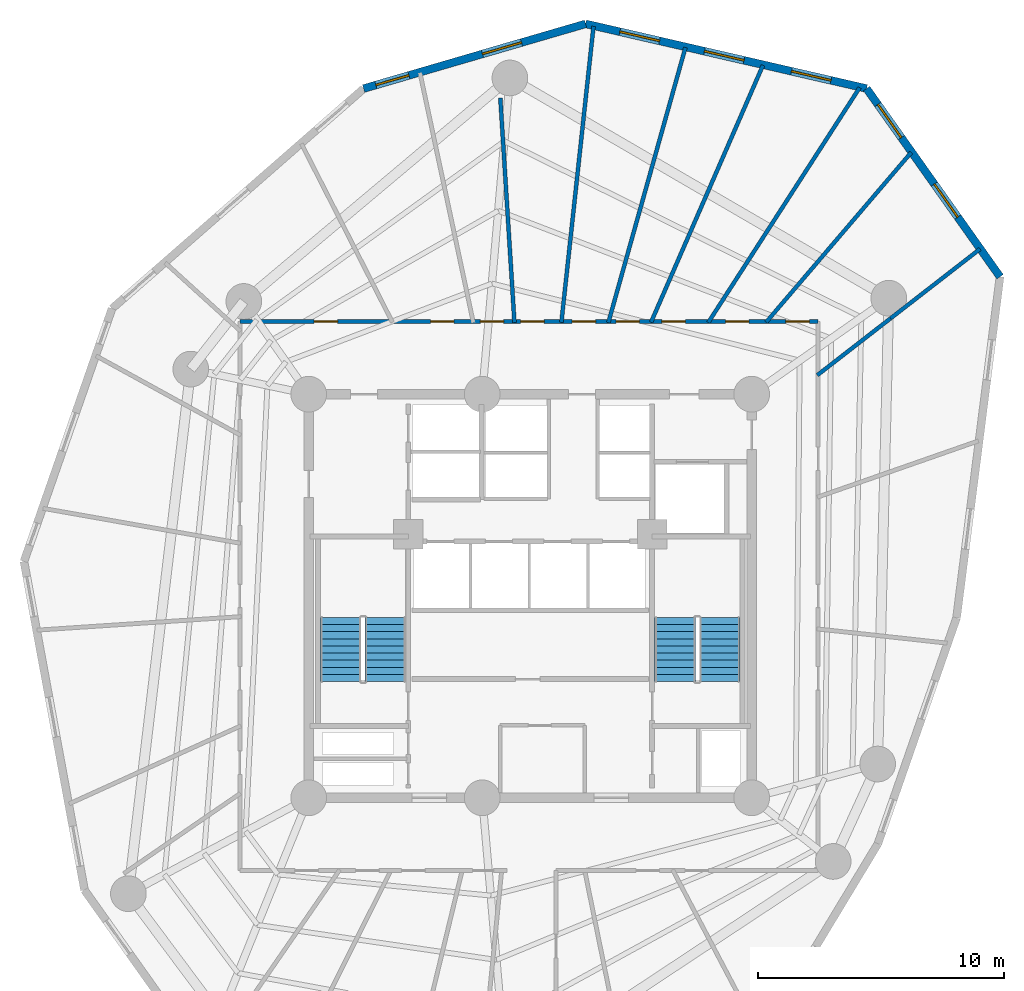
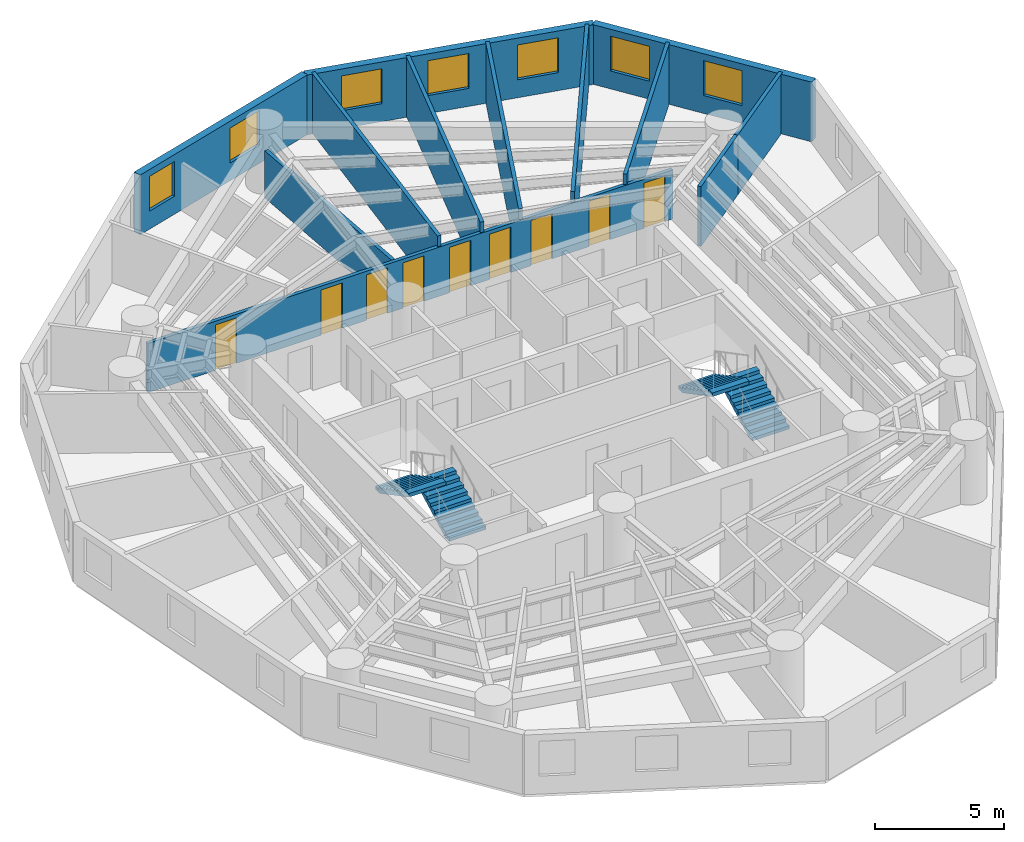
# One storey, part 6 of 7: 12 walls, 9 doors, 7 windows, 4 stair flights, 16 openings, 2 elements without a shape of their own.
"""IFC4 building model written with IfcOpenShell, lengths in metres."""

from ifc_helpers import new_model, si_unit, direction, frame, frame_2d, origin, origin_with_axes, place, context, subcontext, project, spatial, polyline, rectangle, outline, extrude, source, transform, mapped, material, layer, layer_set, type_object, element, fill, aggregate, save


model = new_model("IFC4")

# Units and contexts
model_context = context("Model", 3, precision=1e-05, world=origin(), true_north=direction((0.0, 1.0)))
body_context = subcontext(model_context, "Body", "Model", "MODEL_VIEW")
ifc_project = project(units=[si_unit("LENGTHUNIT", "METRE"), si_unit("AREAUNIT", "SQUARE_METRE"), si_unit("VOLUMEUNIT", "CUBIC_METRE"), si_unit("PLANEANGLEUNIT", "RADIAN"), si_unit("MASSUNIT", "GRAM", prefix="KILO")], contexts=[model_context])

# Site, building, storey
site_placement = place(None, origin())
site = spatial("IfcSite", under=ifc_project, at=site_placement, CompositionType="ELEMENT")
building_placement = place(site_placement, origin())
building = spatial("IfcBuilding", under=site, at=building_placement, Name="Karkom Vertical University and Central Library", CompositionType="ELEMENT")
storey_placement = place(building_placement, frame((0.0, 0.0, 138.89990234375)))
storey = spatial("IfcBuildingStorey", under=building, at=storey_placement, Name="L39", CompositionType="ELEMENT", Elevation=138.89990234375)

# Wall, openings, windows
ifc_material_1 = material(Name="Brick-faced precast concrete C45/55", Category="masonry")
ifc_layer_1 = layer(ifc_material_1, 0.320068359375)
ifc_layer_set_1 = layer_set([ifc_layer_1], Name="Brick-faced precast concrete C45/55")
wall_type_1 = type_object("IfcWallType", Name="ENV-WL-BRK-320", PredefinedType="SOLIDWALL", material=ifc_layer_set_1)
wall_1_placement = place(storey_placement, frame((47.593017578125, 39.47119140625, 0.0), z_axis=(0.0, 0.0, 1.0), x_axis=(-0.578483899651, 0.815693801524, 0.0)))
wall_1 = element("IfcWall", 1, at=wall_1_placement, inside=storey, type_object=wall_type_1, Name="Level 39 Brick-Faced Precast Facade Wall 09", PredefinedType="SOLIDWALL", context=body_context, shape_type="SweptSolid", body=[
    extrude(rectangle(XDim=9.377197265625, YDim=0.320068359375, at=frame_2d((4.6884765625, 0.0))), origin(), (0.0, 0.0, 1.0), 2.8251953125),
])
opening_1_placement = place(wall_1_placement, frame((2.97119140625, 0.0, 0.85009765625)))
opening_1 = element("IfcOpeningElement", 2, at=opening_1_placement, cuts=wall_1, Name="Opening WN-06", PredefinedType="OPENING", context=body_context, shape_type="SweptSolid", body=[
    extrude(rectangle(XDim=1.64990234375, YDim=1.64990234375, at=frame_2d((0.824951171875, 0.824951171875))), frame((0.0, 0.169921875, 0.0), z_axis=(0.0, -1.0, 0.0), x_axis=(1.0, 0.0, 0.0)), (0.0, 0.0, 1.0), 0.340087890625),
])
opening_2_placement = place(wall_1_placement, frame((6.93408203125, 0.0, 0.85009765625)))
opening_2 = element("IfcOpeningElement", 3, at=opening_2_placement, cuts=wall_1, Name="Opening WN-06", PredefinedType="OPENING", context=body_context, shape_type="SweptSolid", body=[
    extrude(rectangle(XDim=1.64990234375, YDim=1.64990234375, at=frame_2d((0.824951171875, 0.824951171875))), frame((0.0, 0.169921875, 0.0), z_axis=(0.0, -1.0, 0.0), x_axis=(1.0, 0.0, 0.0)), (0.0, 0.0, 1.0), 0.340087890625),
])
ifc_material_2 = material(Name="Aluminium thermal-break frame with solar-control IGU", Category="aluminium")
window_type_1 = type_object("IfcWindowType", Name="ENV-WIN-WN-06", PartitioningType="SINGLE_PANEL", PredefinedType="WINDOW", material=ifc_material_2)
shared_shape_1 = source(origin_with_axes(), body_context, "Body", "SweptSolid", [
    extrude(rectangle(XDim=1.64990234375, YDim=1.64990234375, at=frame_2d((0.824951171875, 0.824951171875))), frame((0.0, 0.030029296875, 0.0), z_axis=(0.0, -1.0, 0.0), x_axis=(1.0, 0.0, 0.0)), (0.0, 0.0, 1.0), 0.06005859375),
])
window_1_placement = place(opening_1_placement, origin())
window_1 = element("IfcWindow", 4, at=window_1_placement, inside=storey, type_object=window_type_1, Name="Level 39 Punched Window 9.1", OverallHeight=1.64990234375, OverallWidth=1.64990234375, PartitioningType="SINGLE_PANEL", PredefinedType="WINDOW", context=body_context, shape_type="MappedRepresentation", body=[
    mapped(shared_shape_1, transform((0.0, 0.0, 0.0), scale=1.0)),
])
fill(opening_1, window_1)
window_2_placement = place(opening_2_placement, origin())
window_2 = element("IfcWindow", 5, at=window_2_placement, inside=storey, type_object=window_type_1, Name="Level 39 Punched Window 9.2", OverallHeight=1.64990234375, OverallWidth=1.64990234375, PartitioningType="SINGLE_PANEL", PredefinedType="WINDOW", context=body_context, shape_type="MappedRepresentation", body=[
    mapped(shared_shape_1, transform((0.0, 0.0, 0.0), scale=1.0)),
])
fill(opening_2, window_2)

wall_2_placement = place(storey_placement, frame((42.16845703125, 47.1201171875, 0.0), z_axis=(0.0, 0.0, 1.0), x_axis=(-0.974503453174, 0.224372502219, 0.0)))
wall_2 = element("IfcWall", 6, at=wall_2_placement, inside=storey, type_object=wall_type_1, Name="Level 39 Brick-Faced Precast Facade Wall 10", PredefinedType="SOLIDWALL", context=body_context, shape_type="SweptSolid", body=[
    extrude(rectangle(XDim=11.716796875, YDim=0.320068359375, at=frame_2d((5.8583984375, 0.0))), origin(), (0.0, 0.0, 1.0), 2.8251953125),
])
opening_3_placement = place(wall_2_placement, frame((1.483642578125, 0.0, 0.85009765625)))
opening_3 = element("IfcOpeningElement", 7, at=opening_3_placement, cuts=wall_2, Name="Opening WN-06", PredefinedType="OPENING", context=body_context, shape_type="SweptSolid", body=[
    extrude(rectangle(XDim=1.64990234375, YDim=1.64990234375, at=frame_2d((0.824951171875, 0.824951171875))), frame((0.0, 0.169921875, 0.0), z_axis=(0.0, -1.0, 0.0), x_axis=(1.0, 0.0, 0.0)), (0.0, 0.0, 1.0), 0.340087890625),
])
opening_4_placement = place(wall_2_placement, frame((5.1103515625, 0.0, 0.85009765625)))
opening_4 = element("IfcOpeningElement", 8, at=opening_4_placement, cuts=wall_2, Name="Opening WN-06", PredefinedType="OPENING", context=body_context, shape_type="SweptSolid", body=[
    extrude(rectangle(XDim=1.64990234375, YDim=1.64990234375, at=frame_2d((0.824951171875, 0.824951171875))), frame((0.0, 0.169921875, 0.0), z_axis=(0.0, -1.0, 0.0), x_axis=(1.0, 0.0, 0.0)), (0.0, 0.0, 1.0), 0.340087890625),
])
opening_5_placement = place(wall_2_placement, frame((8.63720703125, 0.0, 0.85009765625)))
opening_5 = element("IfcOpeningElement", 9, at=opening_5_placement, cuts=wall_2, Name="Opening WN-06", PredefinedType="OPENING", context=body_context, shape_type="SweptSolid", body=[
    extrude(rectangle(XDim=1.64990234375, YDim=1.64990234375, at=frame_2d((0.824951171875, 0.824951171875))), frame((0.0, 0.169921875, 0.0), z_axis=(0.0, -1.0, 0.0), x_axis=(1.0, 0.0, 0.0)), (0.0, 0.0, 1.0), 0.340087890625),
])
window_3_placement = place(opening_3_placement, origin())
window_3 = element("IfcWindow", 10, at=window_3_placement, inside=storey, type_object=window_type_1, Name="Level 39 Punched Window 10.1", OverallHeight=1.64990234375, OverallWidth=1.64990234375, PartitioningType="SINGLE_PANEL", PredefinedType="WINDOW", context=body_context, shape_type="MappedRepresentation", body=[
    mapped(shared_shape_1, transform((0.0, 0.0, 0.0), scale=1.0)),
])
fill(opening_3, window_3)
window_4_placement = place(opening_4_placement, origin())
window_4 = element("IfcWindow", 11, at=window_4_placement, inside=storey, type_object=window_type_1, Name="Level 39 Punched Window 10.2", OverallHeight=1.64990234375, OverallWidth=1.64990234375, PartitioningType="SINGLE_PANEL", PredefinedType="WINDOW", context=body_context, shape_type="MappedRepresentation", body=[
    mapped(shared_shape_1, transform((0.0, 0.0, 0.0), scale=1.0)),
])
fill(opening_4, window_4)
window_5_placement = place(opening_5_placement, origin())
window_5 = element("IfcWindow", 12, at=window_5_placement, inside=storey, type_object=window_type_1, Name="Level 39 Punched Window 10.3", OverallHeight=1.64990234375, OverallWidth=1.64990234375, PartitioningType="SINGLE_PANEL", PredefinedType="WINDOW", context=body_context, shape_type="MappedRepresentation", body=[
    mapped(shared_shape_1, transform((0.0, 0.0, 0.0), scale=1.0)),
])
fill(opening_5, window_5)

wall_3_placement = place(storey_placement, frame((30.75048828125, 49.7490234375, 0.0), z_axis=(0.0, 0.0, 1.0), x_axis=(-0.960018620451, -0.279936150556, 0.0)))
wall_3 = element("IfcWall", 13, at=wall_3_placement, inside=storey, type_object=wall_type_1, Name="Level 39 Brick-Faced Precast Facade Wall 11", PredefinedType="SOLIDWALL", context=body_context, shape_type="SweptSolid", body=[
    extrude(rectangle(XDim=9.397216796875, YDim=0.320068359375, at=frame_2d((4.69873046875, 0.0))), origin(), (0.0, 0.0, 1.0), 2.8251953125),
])
opening_6_placement = place(wall_3_placement, frame((2.71533203125, 0.0, 0.85009765625)))
opening_6 = element("IfcOpeningElement", 14, at=opening_6_placement, cuts=wall_3, Name="Opening WN-06", PredefinedType="OPENING", context=body_context, shape_type="SweptSolid", body=[
    extrude(rectangle(XDim=1.64990234375, YDim=1.64990234375, at=frame_2d((0.824951171875, 0.824951171875))), frame((0.0, 0.169921875, 0.0), z_axis=(0.0, -1.0, 0.0), x_axis=(1.0, 0.0, 0.0)), (0.0, 0.0, 1.0), 0.340087890625),
])
opening_7_placement = place(wall_3_placement, frame((7.47900390625, 0.0, 0.85009765625)))
opening_7 = element("IfcOpeningElement", 15, at=opening_7_placement, cuts=wall_3, Name="Opening WN-07", PredefinedType="OPENING", context=body_context, shape_type="SweptSolid", body=[
    extrude(rectangle(XDim=1.39990234375, YDim=1.64990234375, at=frame_2d((0.699951171875, 0.824951171875))), frame((0.0, 0.169921875, 0.0), z_axis=(0.0, -1.0, 0.0), x_axis=(1.0, 0.0, 0.0)), (0.0, 0.0, 1.0), 0.340087890625),
])
window_6_placement = place(opening_6_placement, origin())
window_6 = element("IfcWindow", 16, at=window_6_placement, inside=storey, type_object=window_type_1, Name="Level 39 Punched Window 11.1", OverallHeight=1.64990234375, OverallWidth=1.64990234375, PartitioningType="SINGLE_PANEL", PredefinedType="WINDOW", context=body_context, shape_type="MappedRepresentation", body=[
    mapped(shared_shape_1, transform((0.0, 0.0, 0.0), scale=1.0)),
])
fill(opening_6, window_6)
window_type_2 = type_object("IfcWindowType", Name="ENV-WIN-WN-07", PartitioningType="SINGLE_PANEL", PredefinedType="WINDOW", material=ifc_material_2)
shared_shape_2 = source(origin_with_axes(), body_context, "Body", "SweptSolid", [
    extrude(rectangle(XDim=1.39990234375, YDim=1.64990234375, at=frame_2d((0.699951171875, 0.824951171875))), frame((0.0, 0.030029296875, 0.0), z_axis=(0.0, -1.0, 0.0), x_axis=(1.0, 0.0, 0.0)), (0.0, 0.0, 1.0), 0.06005859375),
])
window_7_placement = place(opening_7_placement, origin())
window_7 = element("IfcWindow", 17, at=window_7_placement, inside=storey, type_object=window_type_2, Name="Level 39 Punched Window 11.2", OverallHeight=1.64990234375, OverallWidth=1.39990234375, PartitioningType="SINGLE_PANEL", PredefinedType="WINDOW", context=body_context, shape_type="MappedRepresentation", body=[
    mapped(shared_shape_2, transform((0.0, 0.0, 0.0), scale=1.0)),
])
fill(opening_7, window_7)

# Wall, openings, doors
ifc_material_3 = material(Name="Insulated metal-stud drywall 160mm", Category="gypsum")
ifc_layer_2 = layer(ifc_material_3, 0.159912109375)
ifc_layer_set_2 = layer_set([ifc_layer_2], Name="Insulated metal-stud drywall 160mm")
wall_type_2 = type_object("IfcWallType", Name="INT-WL-COR-160", PredefinedType="PARTITIONING", material=ifc_layer_set_2)
wall_4_placement = place(storey_placement, frame((16.699951171875, 37.64990234375, 0.0), z_axis=(0.0, 0.0, 1.0), x_axis=(1.0, 0.0, 0.0)))
wall_4 = element("IfcWall", 18, at=wall_4_placement, inside=storey, type_object=wall_type_2, Name="Level 39 Interior Partition Wall L39-CORW-CW-003", PredefinedType="PARTITIONING", context=body_context, shape_type="SweptSolid", body=[
    extrude(rectangle(XDim=23.5, YDim=0.159912109375, at=frame_2d((11.75, 0.0))), origin(), (0.0, 0.0, 1.0), 2.3251953125),
])
opening_8_placement = place(wall_4_placement, frame((22.19287109375, 0.0, 0.0)))
opening_8 = element("IfcOpeningElement", 19, at=opening_8_placement, cuts=wall_4, Name="Opening D-RM1", PredefinedType="OPENING", context=body_context, shape_type="SweptSolid", body=[
    extrude(rectangle(XDim=0.949951171875, YDim=2.14990234375, at=frame_2d((0.47509765625, 1.074951171875))), frame((0.0, 0.08984375, 0.0), z_axis=(0.0, -1.0, 0.0), x_axis=(1.0, 0.0, 0.0)), (0.0, 0.0, 1.0), 0.179931640625),
])
opening_9_placement = place(wall_4_placement, frame((19.739013671875, 0.0, 0.0)))
opening_9 = element("IfcOpeningElement", 20, at=opening_9_placement, cuts=wall_4, Name="Opening D-RM1", PredefinedType="OPENING", context=body_context, shape_type="SweptSolid", body=[
    extrude(rectangle(XDim=0.949951171875, YDim=2.14990234375, at=frame_2d((0.47509765625, 1.074951171875))), frame((0.0, 0.08984375, 0.0), z_axis=(0.0, -1.0, 0.0), x_axis=(1.0, 0.0, 0.0)), (0.0, 0.0, 1.0), 0.179931640625),
])
opening_10_placement = place(wall_4_placement, frame((17.14990234375, 0.0, 0.0)))
opening_10 = element("IfcOpeningElement", 21, at=opening_10_placement, cuts=wall_4, Name="Opening D-RM1", PredefinedType="OPENING", context=body_context, shape_type="SweptSolid", body=[
    extrude(rectangle(XDim=0.949951171875, YDim=2.14990234375, at=frame_2d((0.47509765625, 1.074951171875))), frame((0.0, 0.08984375, 0.0), z_axis=(0.0, -1.0, 0.0), x_axis=(1.0, 0.0, 0.0)), (0.0, 0.0, 1.0), 0.179931640625),
])
opening_11_placement = place(wall_4_placement, frame((15.2900390625, 0.0, 0.0)))
opening_11 = element("IfcOpeningElement", 22, at=opening_11_placement, cuts=wall_4, Name="Opening D-RM1", PredefinedType="OPENING", context=body_context, shape_type="SweptSolid", body=[
    extrude(rectangle(XDim=0.949951171875, YDim=2.14990234375, at=frame_2d((0.47509765625, 1.074951171875))), frame((0.0, 0.08984375, 0.0), z_axis=(0.0, -1.0, 0.0), x_axis=(1.0, 0.0, 0.0)), (0.0, 0.0, 1.0), 0.179931640625),
])
opening_12_placement = place(wall_4_placement, frame((13.507080078125, 0.0, 0.0)))
opening_12 = element("IfcOpeningElement", 23, at=opening_12_placement, cuts=wall_4, Name="Opening D-RM1", PredefinedType="OPENING", context=body_context, shape_type="SweptSolid", body=[
    extrude(rectangle(XDim=0.949951171875, YDim=2.14990234375, at=frame_2d((0.47509765625, 1.074951171875))), frame((0.0, 0.08984375, 0.0), z_axis=(0.0, -1.0, 0.0), x_axis=(1.0, 0.0, 0.0)), (0.0, 0.0, 1.0), 0.179931640625),
])
opening_13_placement = place(wall_4_placement, frame((11.4150390625, 0.0, 0.0)))
opening_13 = element("IfcOpeningElement", 24, at=opening_13_placement, cuts=wall_4, Name="Opening D-RM1", PredefinedType="OPENING", context=body_context, shape_type="SweptSolid", body=[
    extrude(rectangle(XDim=0.949951171875, YDim=2.14990234375, at=frame_2d((0.47509765625, 1.074951171875))), frame((0.0, 0.08984375, 0.0), z_axis=(0.0, -1.0, 0.0), x_axis=(1.0, 0.0, 0.0)), (0.0, 0.0, 1.0), 0.179931640625),
])
opening_14_placement = place(wall_4_placement, frame((9.772216796875, 0.0, 0.0)))
opening_14 = element("IfcOpeningElement", 25, at=opening_14_placement, cuts=wall_4, Name="Opening D-RM1", PredefinedType="OPENING", context=body_context, shape_type="SweptSolid", body=[
    extrude(rectangle(XDim=0.949951171875, YDim=2.14990234375, at=frame_2d((0.47509765625, 1.074951171875))), frame((0.0, 0.08984375, 0.0), z_axis=(0.0, -1.0, 0.0), x_axis=(1.0, 0.0, 0.0)), (0.0, 0.0, 1.0), 0.179931640625),
])
opening_15_placement = place(wall_4_placement, frame((7.75, 0.0, 0.0)))
opening_15 = element("IfcOpeningElement", 26, at=opening_15_placement, cuts=wall_4, Name="Opening D-RM1", PredefinedType="OPENING", context=body_context, shape_type="SweptSolid", body=[
    extrude(rectangle(XDim=0.949951171875, YDim=2.14990234375, at=frame_2d((0.47509765625, 1.074951171875))), frame((0.0, 0.08984375, 0.0), z_axis=(0.0, -1.0, 0.0), x_axis=(1.0, 0.0, 0.0)), (0.0, 0.0, 1.0), 0.179931640625),
])
opening_16_placement = place(wall_4_placement, frame((3.021484375, 0.0, 0.0)))
opening_16 = element("IfcOpeningElement", 27, at=opening_16_placement, cuts=wall_4, Name="Opening D-RM1", PredefinedType="OPENING", context=body_context, shape_type="SweptSolid", body=[
    extrude(rectangle(XDim=0.949951171875, YDim=2.14990234375, at=frame_2d((0.47509765625, 1.074951171875))), frame((0.0, 0.08984375, 0.0), z_axis=(0.0, -1.0, 0.0), x_axis=(1.0, 0.0, 0.0)), (0.0, 0.0, 1.0), 0.179931640625),
])
ifc_material_4 = material(Name="Solid-core oak veneer door", Category="wood")
door_type = type_object("IfcDoorType", Name="INT-DR-RM1", OperationType="NOTDEFINED", PredefinedType="DOOR", material=ifc_material_4)
shared_shape_3 = source(origin_with_axes(), body_context, "Body", "SweptSolid", [
    extrude(rectangle(XDim=0.949951171875, YDim=2.14990234375, at=frame_2d((0.47509765625, 1.074951171875))), frame((0.0, 0.02490234375, 0.0), z_axis=(0.0, -1.0, 0.0), x_axis=(1.0, 0.0, 0.0)), (0.0, 0.0, 1.0), 0.050048828125),
])
door_1_placement = place(opening_8_placement, origin())
door_1 = element("IfcDoor", 28, at=door_1_placement, inside=storey, type_object=door_type, Name="Level 39 Room Entry Door 120", OperationType="SINGLE_SWING_LEFT", OverallHeight=2.14990234375, OverallWidth=0.949951171875, PredefinedType="DOOR", context=body_context, shape_type="MappedRepresentation", body=[
    mapped(shared_shape_3, transform((0.0, 0.0, 0.0), scale=1.0)),
])
fill(opening_8, door_1)
door_2_placement = place(opening_9_placement, origin())
door_2 = element("IfcDoor", 29, at=door_2_placement, inside=storey, type_object=door_type, Name="Level 39 Room Entry Door 130", OperationType="SINGLE_SWING_RIGHT", OverallHeight=2.14990234375, OverallWidth=0.949951171875, PredefinedType="DOOR", context=body_context, shape_type="MappedRepresentation", body=[
    mapped(shared_shape_3, transform((0.0, 0.0, 0.0), scale=1.0)),
])
fill(opening_9, door_2)
door_3_placement = place(opening_10_placement, origin())
door_3 = element("IfcDoor", 30, at=door_3_placement, inside=storey, type_object=door_type, Name="Level 39 Room Entry Door 140", OperationType="SINGLE_SWING_LEFT", OverallHeight=2.14990234375, OverallWidth=0.949951171875, PredefinedType="DOOR", context=body_context, shape_type="MappedRepresentation", body=[
    mapped(shared_shape_3, transform((0.0, 0.0, 0.0), scale=1.0)),
])
fill(opening_10, door_3)
door_4_placement = place(opening_11_placement, origin())
door_4 = element("IfcDoor", 31, at=door_4_placement, inside=storey, type_object=door_type, Name="Level 39 Room Entry Door 150", OperationType="SINGLE_SWING_RIGHT", OverallHeight=2.14990234375, OverallWidth=0.949951171875, PredefinedType="DOOR", context=body_context, shape_type="MappedRepresentation", body=[
    mapped(shared_shape_3, transform((0.0, 0.0, 0.0), scale=1.0)),
])
fill(opening_11, door_4)
door_5_placement = place(opening_12_placement, origin())
door_5 = element("IfcDoor", 32, at=door_5_placement, inside=storey, type_object=door_type, Name="Level 39 Room Entry Door 160", OperationType="SINGLE_SWING_LEFT", OverallHeight=2.14990234375, OverallWidth=0.949951171875, PredefinedType="DOOR", context=body_context, shape_type="MappedRepresentation", body=[
    mapped(shared_shape_3, transform((0.0, 0.0, 0.0), scale=1.0)),
])
fill(opening_12, door_5)
door_6_placement = place(opening_13_placement, origin())
door_6 = element("IfcDoor", 33, at=door_6_placement, inside=storey, type_object=door_type, Name="Level 39 Room Entry Door 170", OperationType="SINGLE_SWING_RIGHT", OverallHeight=2.14990234375, OverallWidth=0.949951171875, PredefinedType="DOOR", context=body_context, shape_type="MappedRepresentation", body=[
    mapped(shared_shape_3, transform((0.0, 0.0, 0.0), scale=1.0)),
])
fill(opening_13, door_6)
door_7_placement = place(opening_14_placement, origin())
door_7 = element("IfcDoor", 34, at=door_7_placement, inside=storey, type_object=door_type, Name="Level 39 Room Entry Door 180", OperationType="SINGLE_SWING_LEFT", OverallHeight=2.14990234375, OverallWidth=0.949951171875, PredefinedType="DOOR", context=body_context, shape_type="MappedRepresentation", body=[
    mapped(shared_shape_3, transform((0.0, 0.0, 0.0), scale=1.0)),
])
fill(opening_14, door_7)
door_8_placement = place(opening_15_placement, origin())
door_8 = element("IfcDoor", 35, at=door_8_placement, inside=storey, type_object=door_type, Name="Level 39 Room Entry Door 190", OperationType="SINGLE_SWING_RIGHT", OverallHeight=2.14990234375, OverallWidth=0.949951171875, PredefinedType="DOOR", context=body_context, shape_type="MappedRepresentation", body=[
    mapped(shared_shape_3, transform((0.0, 0.0, 0.0), scale=1.0)),
])
fill(opening_15, door_8)
door_9_placement = place(opening_16_placement, origin())
door_9 = element("IfcDoor", 36, at=door_9_placement, inside=storey, type_object=door_type, Name="Level 39 Room Entry Door 200", OperationType="SINGLE_SWING_LEFT", OverallHeight=2.14990234375, OverallWidth=0.949951171875, PredefinedType="DOOR", context=body_context, shape_type="MappedRepresentation", body=[
    mapped(shared_shape_3, transform((0.0, 0.0, 0.0), scale=1.0)),
])
fill(opening_16, door_9)

# Walls
wall_5_placement = place(storey_placement, frame((29.767333984375, 37.6201171875, 0.0), z_axis=(0.0, 0.0, 1.0), x_axis=(0.107893135116, 0.99416249748, 0.0)))
element("IfcWall", 37, at=wall_5_placement, inside=storey, type_object=wall_type_2, Name="Level 39 Interior Partition Wall L39-PW-020", PredefinedType="PARTITIONING", context=body_context, shape_type="SweptSolid", body=[
    extrude(rectangle(XDim=12.09912109375, YDim=0.159912109375, at=frame_2d((6.049560546875, 0.0))), origin(), (0.0, 0.0, 1.0), 2.8251953125),
])
wall_6_placement = place(storey_placement, frame((31.6748046875, 37.606689453125, 0.0), z_axis=(0.0, 0.0, 1.0), x_axis=(0.269847475591, 0.962903079192, 0.0)))
element("IfcWall", 38, at=wall_6_placement, inside=storey, type_object=wall_type_2, Name="Level 39 Interior Partition Wall L39-PW-019", PredefinedType="PARTITIONING", context=body_context, shape_type="SweptSolid", body=[
    extrude(rectangle(XDim=11.61328125, YDim=0.159912109375, at=frame_2d((5.806640625, 0.0))), origin(), (0.0, 0.0, 1.0), 2.8251953125),
])
wall_7_placement = place(storey_placement, frame((33.40966796875, 37.62255859375, 0.0), z_axis=(0.0, 0.0, 1.0), x_axis=(0.399302228373, 0.916819355389, 0.0)))
element("IfcWall", 39, at=wall_7_placement, inside=storey, type_object=wall_type_2, Name="Level 39 Interior Partition Wall L39-PW-018", PredefinedType="PARTITIONING", context=body_context, shape_type="SweptSolid", body=[
    extrude(rectangle(XDim=11.3876953125, YDim=0.159912109375, at=frame_2d((5.69384765625, 0.0))), origin(), (0.0, 0.0, 1.0), 2.8251953125),
])
wall_8_placement = place(storey_placement, frame((35.734375, 37.6123046875, 0.0), z_axis=(0.0, 0.0, 1.0), x_axis=(0.54179721342, 0.840509238218, 0.0)))
element("IfcWall", 40, at=wall_8_placement, inside=storey, type_object=wall_type_2, Name="Level 39 Interior Partition Wall L39-PW-017", PredefinedType="PARTITIONING", context=body_context, shape_type="SweptSolid", body=[
    extrude(rectangle(XDim=11.35400390625, YDim=0.159912109375, at=frame_2d((5.677001953125, 0.0))), origin(), (0.0, 0.0, 1.0), 2.8251953125),
])
wall_9_placement = place(storey_placement, frame((27.860107421875, 37.60498046875, 0.0), z_axis=(0.0, 0.0, 1.0), x_axis=(-0.06290353678, 0.998019611561, 0.0)))
element("IfcWall", 41, at=wall_9_placement, inside=storey, type_object=wall_type_2, Name="Level 39 Interior Partition Wall L39-PW-021", PredefinedType="PARTITIONING", context=body_context, shape_type="SweptSolid", body=[
    extrude(rectangle(XDim=9.14404296875, YDim=0.159912109375, at=frame_2d((4.572021484375, 0.0))), origin(), (0.0, 0.0, 1.0), 2.22509765625),
])
wall_10_placement = place(storey_placement, frame((38.087890625, 37.627197265625, 0.0), z_axis=(0.0, 0.0, 1.0), x_axis=(0.64966873679, 0.760217424451, 0.0)))
element("IfcWall", 42, at=wall_10_placement, inside=storey, type_object=wall_type_2, Name="Level 39 Interior Partition Wall L39-PW-016", PredefinedType="PARTITIONING", context=body_context, shape_type="SweptSolid", body=[
    extrude(rectangle(XDim=9.06787109375, YDim=0.159912109375, at=frame_2d((4.533935546875, 0.0))), origin(), (0.0, 0.0, 1.0), 2.8251953125),
])
wall_11_placement = place(storey_placement, frame((40.164306640625, 35.471435546875, 0.0), z_axis=(0.0, 0.0, 1.0), x_axis=(0.790164709114, 0.612894552488, 0.0)))
element("IfcWall", 43, at=wall_11_placement, inside=storey, type_object=wall_type_2, Name="Level 39 Interior Partition Wall L39-PW-014", PredefinedType="PARTITIONING", context=body_context, shape_type="SweptSolid", body=[
    extrude(rectangle(XDim=3.7666015625, YDim=0.159912109375, at=frame_2d((1.88330078125, 0.0))), origin(), (0.0, 0.0, 1.0), 2.8251953125),
])
wall_12_placement = place(storey_placement, frame((43.14453125, 37.783203125, 0.0), z_axis=(0.0, 0.0, 1.0), x_axis=(0.790188852101, 0.612863425256, 0.0)))
element("IfcWall", 44, at=wall_12_placement, inside=storey, type_object=wall_type_2, Name="Level 39 Interior Partition Wall L39-PW-015", PredefinedType="PARTITIONING", context=body_context, shape_type="SweptSolid", body=[
    extrude(rectangle(XDim=4.599853515625, YDim=0.159912109375, at=frame_2d((2.2998046875, 0.0))), origin(), (0.0, 0.0, 1.0), 2.8251953125),
])

# Stair, stair flights
ifc_material_5 = material(Name="Concrete C45/55", Category="concrete")
stair_type = type_object("IfcStairType", Name="INT-STR-ST-MAIN", PredefinedType="HALF_TURN_STAIR", material=ifc_material_5)
stair_1_placement = place(storey_placement, origin())
stair_1 = element("IfcStair", 45, at=stair_1_placement, inside=storey, type_object=stair_type, Name="Level 39 Tower Protected Exit Stair ST-1", PredefinedType="HALF_TURN_STAIR")
stair_flight_type = type_object("IfcStairFlightType", Name="INT-SFL-ST-MAIN", PredefinedType="STRAIGHT", material=ifc_material_5)
stair_flight_1_placement = place(storey_placement, frame((22.614990234375, 23.02001953125, 0.0), z_axis=(0.0, 0.0, 1.0), x_axis=(0.0, 1.0, 0.0)))
stair_flight_1 = element("IfcStairFlight", 46, at=stair_flight_1_placement, type_object=stair_flight_type, Name="ST-1 flight 1", NumberOfRisers=10, NumberOfTreads=9, PredefinedType="STRAIGHT", RiserHeight=0.1525, TreadLength=0.29, context=body_context, shape_type="SweptSolid", body=[
    extrude(outline(polyline([(0.0, 0.0), (0.0, 0.152587890625), (0.2900390625, 0.152587890625), (0.2900390625, 0.304931640625), (0.580078125, 0.304931640625), (0.580078125, 0.45751953125), (0.8701171875, 0.45751953125), (0.8701171875, 0.610107421875), (1.159912109375, 0.610107421875), (1.159912109375, 0.762451171875), (1.449951171875, 0.762451171875), (1.449951171875, 0.9150390625), (1.739990234375, 0.9150390625), (1.739990234375, 1.0673828125), (2.030029296875, 1.0673828125), (2.030029296875, 1.219970703125), (2.320068359375, 1.219970703125), (2.320068359375, 1.37255859375), (2.610107421875, 1.37255859375), (2.610107421875, 1.52490234375), (2.610107421875, 1.203125), (0.322021484375, 0.0), (0.0, 0.0)])), frame((0.0, 0.824951171875, 0.0), z_axis=(0.0, -1.0, 0.0), x_axis=(1.0, 0.0, 0.0)), (0.0, 0.0, 1.0), 1.64990234375),
])
stair_flight_2_placement = place(storey_placement, frame((20.804931640625, 25.6298828125, 1.525146484375), z_axis=(0.0, 0.0, 1.0), x_axis=(0.0, -1.0, 0.0)))
stair_flight_2 = element("IfcStairFlight", 47, at=stair_flight_2_placement, type_object=stair_flight_type, Name="ST-1 flight 2", NumberOfRisers=10, NumberOfTreads=9, PredefinedType="STRAIGHT", RiserHeight=0.1525, TreadLength=0.29, context=body_context, shape_type="SweptSolid", body=[
    extrude(outline(polyline([(0.0, 0.0), (0.0, 0.152587890625), (0.2900390625, 0.152587890625), (0.2900390625, 0.304931640625), (0.580078125, 0.304931640625), (0.580078125, 0.45751953125), (0.8701171875, 0.45751953125), (0.8701171875, 0.610107421875), (1.159912109375, 0.610107421875), (1.159912109375, 0.762451171875), (1.449951171875, 0.762451171875), (1.449951171875, 0.9150390625), (1.739990234375, 0.9150390625), (1.739990234375, 1.0673828125), (2.030029296875, 1.0673828125), (2.030029296875, 1.219970703125), (2.320068359375, 1.219970703125), (2.320068359375, 1.37255859375), (2.610107421875, 1.37255859375), (2.610107421875, 1.52490234375), (2.610107421875, 1.203125), (0.322021484375, 0.0), (0.0, 0.0)])), frame((0.0, 0.824951171875, 0.0), z_axis=(0.0, -1.0, 0.0), x_axis=(1.0, 0.0, 0.0)), (0.0, 0.0, 1.0), 1.64990234375),
])
aggregate(stair_1, [stair_flight_1, stair_flight_2])

stair_2_placement = place(storey_placement, origin())
stair_2 = element("IfcStair", 48, at=stair_2_placement, inside=storey, type_object=stair_type, Name="Level 39 Tower Protected Exit Stair ST-2", PredefinedType="HALF_TURN_STAIR")
stair_flight_3_placement = place(storey_placement, frame((36.195068359375, 23.02001953125, 0.0), z_axis=(0.0, 0.0, 1.0), x_axis=(0.0, 1.0, 0.0)))
stair_flight_3 = element("IfcStairFlight", 49, at=stair_flight_3_placement, type_object=stair_flight_type, Name="ST-2 flight 1", NumberOfRisers=10, NumberOfTreads=9, PredefinedType="STRAIGHT", RiserHeight=0.1525, TreadLength=0.29, context=body_context, shape_type="SweptSolid", body=[
    extrude(outline(polyline([(0.0, 0.0), (0.0, 0.152587890625), (0.2900390625, 0.152587890625), (0.2900390625, 0.304931640625), (0.580078125, 0.304931640625), (0.580078125, 0.45751953125), (0.8701171875, 0.45751953125), (0.8701171875, 0.610107421875), (1.159912109375, 0.610107421875), (1.159912109375, 0.762451171875), (1.449951171875, 0.762451171875), (1.449951171875, 0.9150390625), (1.739990234375, 0.9150390625), (1.739990234375, 1.0673828125), (2.030029296875, 1.0673828125), (2.030029296875, 1.219970703125), (2.320068359375, 1.219970703125), (2.320068359375, 1.37255859375), (2.610107421875, 1.37255859375), (2.610107421875, 1.52490234375), (2.610107421875, 1.203125), (0.322021484375, 0.0), (0.0, 0.0)])), frame((0.0, 0.824951171875, 0.0), z_axis=(0.0, -1.0, 0.0), x_axis=(1.0, 0.0, 0.0)), (0.0, 0.0, 1.0), 1.64990234375),
])
stair_flight_4_placement = place(storey_placement, frame((34.385009765625, 25.6298828125, 1.525146484375), z_axis=(0.0, 0.0, 1.0), x_axis=(0.0, -1.0, 0.0)))
stair_flight_4 = element("IfcStairFlight", 50, at=stair_flight_4_placement, type_object=stair_flight_type, Name="ST-2 flight 2", NumberOfRisers=10, NumberOfTreads=9, PredefinedType="STRAIGHT", RiserHeight=0.1525, TreadLength=0.29, context=body_context, shape_type="SweptSolid", body=[
    extrude(outline(polyline([(0.0, 0.0), (0.0, 0.152587890625), (0.2900390625, 0.152587890625), (0.2900390625, 0.304931640625), (0.580078125, 0.304931640625), (0.580078125, 0.45751953125), (0.8701171875, 0.45751953125), (0.8701171875, 0.610107421875), (1.159912109375, 0.610107421875), (1.159912109375, 0.762451171875), (1.449951171875, 0.762451171875), (1.449951171875, 0.9150390625), (1.739990234375, 0.9150390625), (1.739990234375, 1.0673828125), (2.030029296875, 1.0673828125), (2.030029296875, 1.219970703125), (2.320068359375, 1.219970703125), (2.320068359375, 1.37255859375), (2.610107421875, 1.37255859375), (2.610107421875, 1.52490234375), (2.610107421875, 1.203125), (0.322021484375, 0.0), (0.0, 0.0)])), frame((0.0, 0.824951171875, 0.0), z_axis=(0.0, -1.0, 0.0), x_axis=(1.0, 0.0, 0.0)), (0.0, 0.0, 1.0), 1.64990234375),
])
aggregate(stair_2, [stair_flight_3, stair_flight_4])

save(model, "model.ifc")
